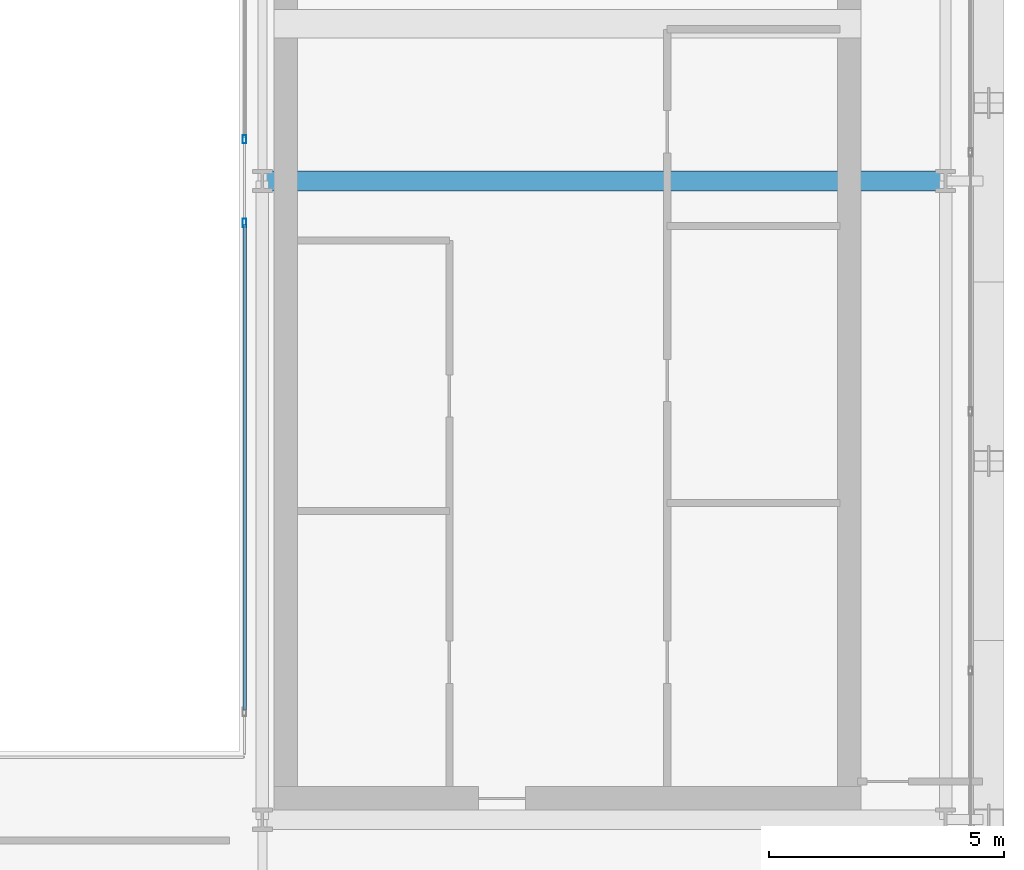
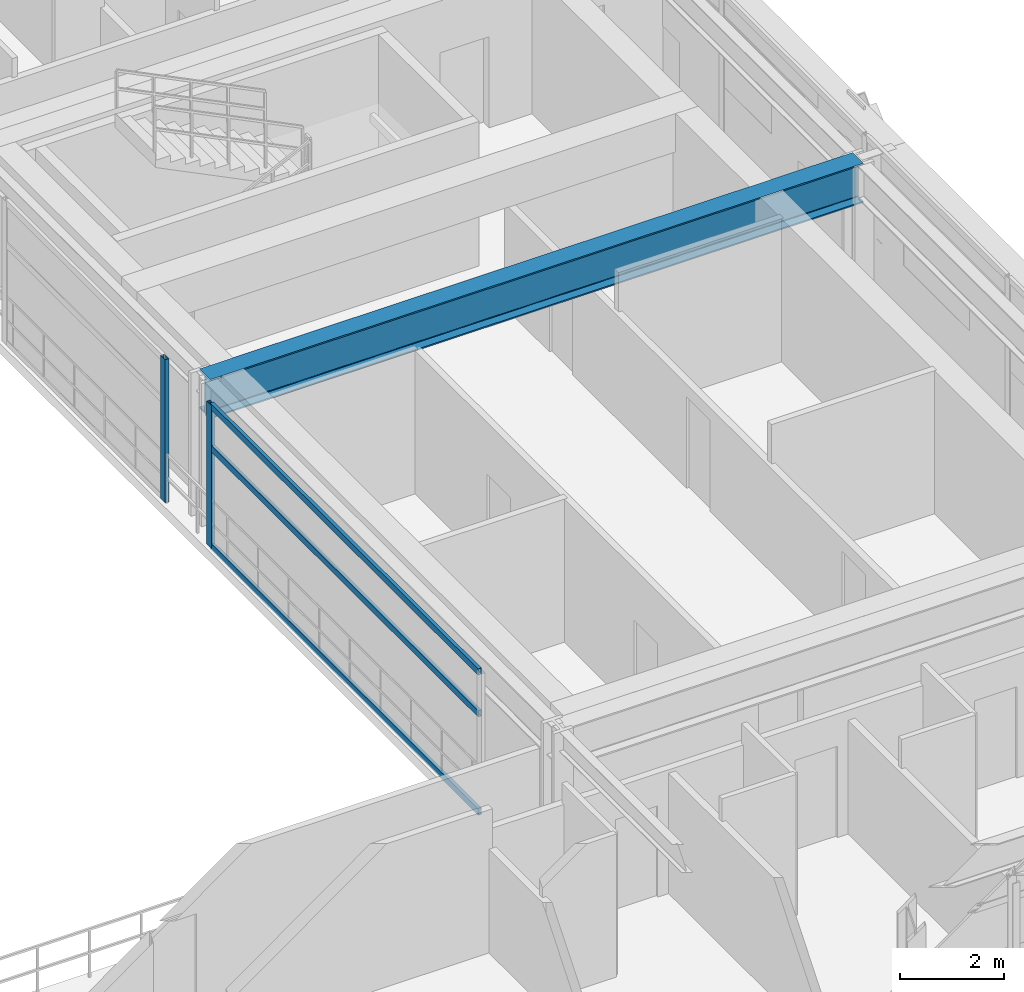
# One storey, part 16 of 38: 5 members, 1 beam, 2 elements without a shape of their own.
"""IFC4 building model written with IfcOpenShell, lengths in metres."""

from ifc_helpers import new_model, si_unit, direction, frame, origin, origin_2d, place, context, subcontext, project, spatial, hollow_rectangle, i_section, extrude, source, transform, mapped, material, layer, layer_set, material_profile, profile_set, type_object, element, aggregate, save


model = new_model("IFC4")

# Units and contexts
model_context = context("Model", 3, precision=1e-05, world=origin(), true_north=direction((0.0, 1.0)))
body_context = subcontext(model_context, "Body", "Model", "MODEL_VIEW")
ifc_project = project(units=[si_unit("LENGTHUNIT", "METRE"), si_unit("AREAUNIT", "SQUARE_METRE"), si_unit("VOLUMEUNIT", "CUBIC_METRE"), si_unit("PLANEANGLEUNIT", "RADIAN"), si_unit("MASSUNIT", "GRAM", prefix="KILO")], contexts=[model_context])

# Site, building, storey
site_placement = place(None, origin())
site = spatial("IfcSite", under=ifc_project, at=site_placement, CompositionType="ELEMENT")
building_placement = place(site_placement, origin())
building = spatial("IfcBuilding", under=site, at=building_placement, Name="Ocotamira Hotel", CompositionType="ELEMENT")
storey_placement = place(building_placement, frame((0.0, 0.0, 170.39990234375)))
storey = spatial("IfcBuildingStorey", under=building, at=storey_placement, Name="L42", CompositionType="ELEMENT", Elevation=170.39990234375)

# Beam
ifc_material_1 = material(Name="Steel ASTM A992 Grade 50", Category="steel")
ifc_material_profile_1 = material_profile(ifc_material_1, i_section(OverallWidth=0.41796875, OverallDepth=0.927001953125, WebThickness=0.019287109375, FlangeThickness=0.031982421875, FilletRadius=0.02392578125, at=origin_2d()), Name="W36X231")
ifc_profile_set_1 = profile_set([ifc_material_profile_1], Name="Steel ASTM A992 Grade 50")
beam_type = type_object("IfcBeamType", Name="BM-GIRD-W36X231", PredefinedType="BEAM", material=ifc_profile_set_1)
shared_shape_1 = source(origin(), body_context, "Body", "SweptSolid", [
    extrude(i_section(OverallWidth=0.41796875, OverallDepth=0.927001953125, WebThickness=0.019287109375, FlangeThickness=0.031982421875, FilletRadius=0.02392578125, at=origin_2d()), origin(), (0.0, 0.0, 1.0), 14.550048828125),
])
beam_placement = place(storey_placement, frame((40.5, 28.14990234375, 2.906494140625), z_axis=(1.0, 0.0, 0.0), x_axis=(0.0, 1.0, 0.0)))
element("IfcBeam", 1, at=beam_placement, inside=storey, type_object=beam_type, Name="L42 Girder Y28.15 X40.5-55.05", PredefinedType="BEAM", context=body_context, shape_type="MappedRepresentation", body=[
    mapped(shared_shape_1, transform((0.0, 0.0, 0.0), scale=1.0)),
])

# Curtain wall, member
ifc_material_2 = material(Name="Anodised pale-metal aluminium and solar glass", Category="aluminium")
ifc_layer = layer(ifc_material_2, 0.159912109375)
ifc_layer_set = layer_set([ifc_layer], Name="Anodised pale-metal aluminium and solar glass")
curtain_wall_type = type_object("IfcCurtainWallType", Name="CW-SYS6-ATR", PredefinedType="NOTDEFINED", material=ifc_layer_set)
curtain_wall_1_placement = place(storey_placement, origin())
curtain_wall_1 = element("IfcCurtainWall", 2, at=curtain_wall_1_placement, inside=storey, type_object=curtain_wall_type, Name="L42 Curtain Wall CW-6 CW-L42-ATRE1", PredefinedType="NOTDEFINED")
ifc_material_3 = material(Name="Anodised pale-metal aluminium 6063-T6", Category="aluminium")
ifc_material_profile_2 = material_profile(ifc_material_3, hollow_rectangle(XDim=0.080078125, YDim=0.179931640625, WallThickness=0.006103515625, at=origin_2d()), Name="HSS180X80X6")
ifc_profile_set_2 = profile_set([ifc_material_profile_2], Name="Anodised pale-metal aluminium 6063-T6")
member_type_1 = type_object("IfcMemberType", Name="CWM-180X75", PredefinedType="MULLION", material=ifc_profile_set_2)
shared_shape_2 = source(origin(), body_context, "Body", "SweptSolid", [
    extrude(hollow_rectangle(XDim=0.080078125, YDim=0.179931640625, WallThickness=0.006103515625, at=origin_2d()), origin(), (0.0, 0.0, 1.0), 3.3701171875),
])
member_1_placement = place(storey_placement, frame((40.1201171875, 27.260009765625, 0.0), z_axis=(0.0, 0.0, 1.0), x_axis=(-1.0, 0.0, 0.0)))
member_1 = element("IfcMember", 3, at=member_1_placement, type_object=member_type_1, Name="CW-6 mullion 2", PredefinedType="MULLION", context=body_context, shape_type="MappedRepresentation", body=[
    mapped(shared_shape_2, transform((0.0, 0.0, 0.0), scale=1.0)),
])

curtain_wall_2_placement = place(storey_placement, origin())
curtain_wall_2 = element("IfcCurtainWall", 4, at=curtain_wall_2_placement, inside=storey, type_object=curtain_wall_type, Name="L42 Curtain Wall CW-6 CW-L42-ATRE2", PredefinedType="NOTDEFINED")
member_2_placement = place(storey_placement, frame((40.1201171875, 29.0400390625, 0.0), z_axis=(0.0, 0.0, 1.0), x_axis=(-1.0, 0.0, 0.0)))
member_2 = element("IfcMember", 5, at=member_2_placement, type_object=member_type_1, Name="CW-6 mullion 1", PredefinedType="MULLION", context=body_context, shape_type="MappedRepresentation", body=[
    mapped(shared_shape_2, transform((0.0, 0.0, 0.0), scale=1.0)),
])
aggregate(curtain_wall_2, [member_2])

# Member
ifc_material_profile_3 = material_profile(ifc_material_3, hollow_rectangle(XDim=0.074951171875, YDim=0.14990234375, WallThickness=0.006103515625, at=origin_2d()), Name="HSS150X75X6")
ifc_profile_set_3 = profile_set([ifc_material_profile_3], Name="Anodised pale-metal aluminium 6063-T6")
member_type_2 = type_object("IfcMemberType", Name="CWT-150X75", PredefinedType="USERDEFINED", material=ifc_profile_set_3)
shared_shape_3 = source(origin(), body_context, "Body", "SweptSolid", [
    extrude(hollow_rectangle(XDim=0.074951171875, YDim=0.14990234375, WallThickness=0.006103515625, at=origin_2d()), origin(), (0.0, 0.0, 1.0), 10.340087890625),
])
member_3_placement = place(storey_placement, frame((40.1201171875, 16.8798828125, 0.03759765625), z_axis=(0.0, 1.0, 0.0), x_axis=(-1.0, 0.0, 0.0)))
member_3 = element("IfcMember", 6, at=member_3_placement, type_object=member_type_2, Name="CW-6 transom 1.1", ObjectType="TRANSOM", PredefinedType="USERDEFINED", context=body_context, shape_type="MappedRepresentation", body=[
    mapped(shared_shape_3, transform((0.0, 0.0, 0.0), scale=1.0)),
])

member_4_placement = place(storey_placement, frame((40.1201171875, 16.8798828125, 2.35009765625), z_axis=(0.0, 1.0, 0.0), x_axis=(-1.0, 0.0, 0.0)))
member_4 = element("IfcMember", 7, at=member_4_placement, type_object=member_type_2, Name="CW-6 transom 1.2", ObjectType="TRANSOM", PredefinedType="USERDEFINED", context=body_context, shape_type="MappedRepresentation", body=[
    mapped(shared_shape_3, transform((0.0, 0.0, 0.0), scale=1.0)),
])

member_5_placement = place(storey_placement, frame((40.1201171875, 16.8798828125, 3.33251953125), z_axis=(0.0, 1.0, 0.0), x_axis=(-1.0, 0.0, 0.0)))
member_5 = element("IfcMember", 8, at=member_5_placement, type_object=member_type_2, Name="CW-6 transom 1.3", ObjectType="TRANSOM", PredefinedType="USERDEFINED", context=body_context, shape_type="MappedRepresentation", body=[
    mapped(shared_shape_3, transform((0.0, 0.0, 0.0), scale=1.0)),
])

aggregate(curtain_wall_1, [member_1, member_3, member_4, member_5])

save(model, "model.ifc")
